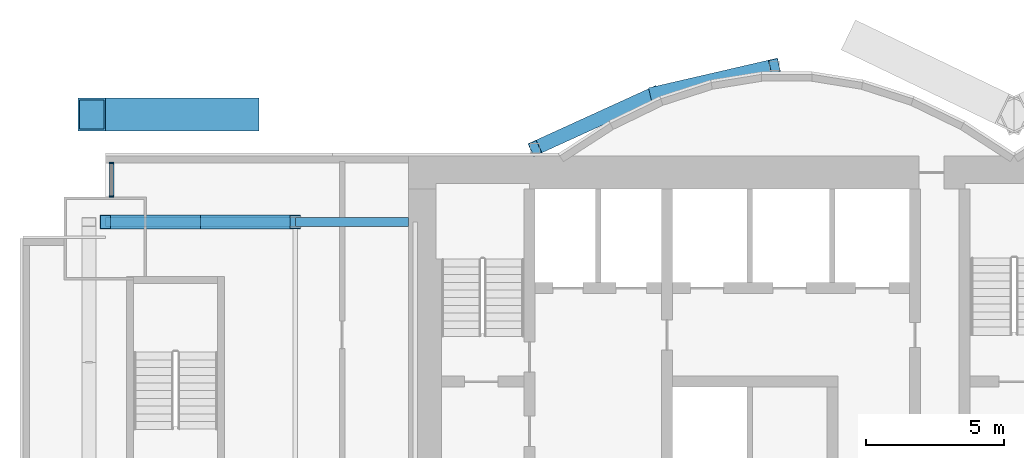
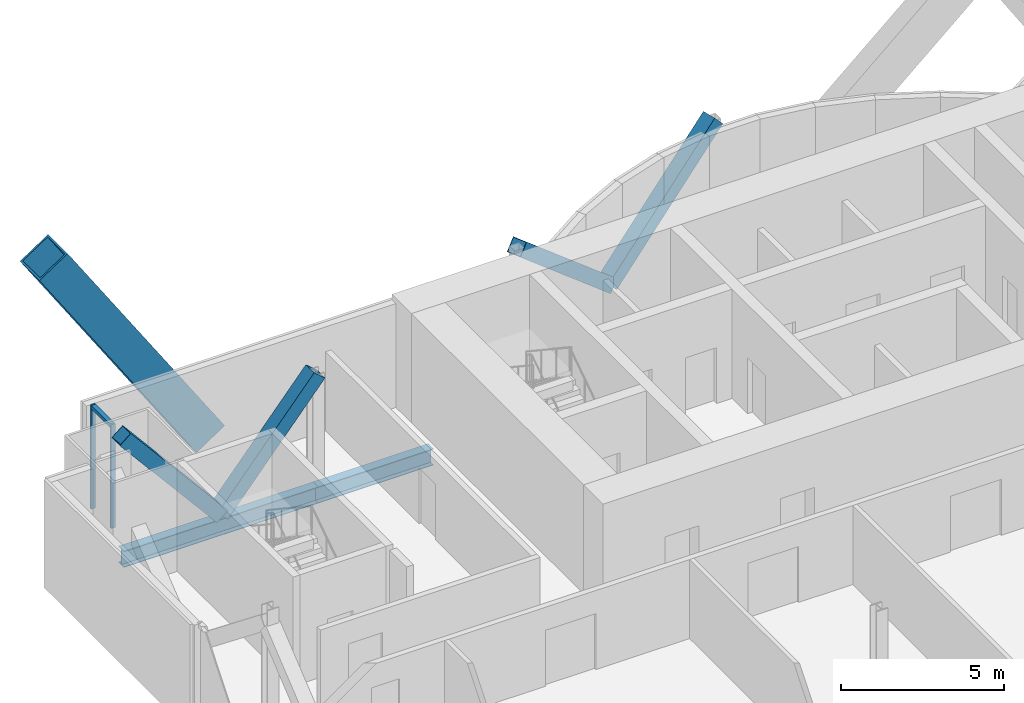
# One storey, part 10 of 21: 8 members, 2 beams, 1 element without a shape of its own.
"""IFC4 building model written with IfcOpenShell, lengths in metres."""

from ifc_helpers import new_model, si_unit, direction, frame, origin, origin_2d, place, context, subcontext, project, spatial, rectangle, hollow_rectangle, i_section, extrude, material, material_profile, profile_set, type_object, element, aggregate, save


model = new_model("IFC4")

# Units and contexts
model_context = context("Model", 3, precision=1e-05, world=origin(), true_north=direction((0.0, 1.0)))
body_context = subcontext(model_context, "Body", "Model", "MODEL_VIEW")
ifc_project = project(units=[si_unit("LENGTHUNIT", "METRE"), si_unit("AREAUNIT", "SQUARE_METRE"), si_unit("VOLUMEUNIT", "CUBIC_METRE"), si_unit("PLANEANGLEUNIT", "RADIAN"), si_unit("MASSUNIT", "GRAM", prefix="KILO")], contexts=[model_context])

# Site, building, storey
site_placement = place(None, origin())
site = spatial("IfcSite", under=ifc_project, at=site_placement, CompositionType="ELEMENT")
building_placement = place(site_placement, origin())
building = spatial("IfcBuilding", under=site, at=building_placement, Name="Bicima Exchange Tower", CompositionType="ELEMENT")
storey_placement = place(building_placement, frame((0.0, 0.0, 130.89990234375)))
storey = spatial("IfcBuildingStorey", under=building, at=storey_placement, Name="L28", CompositionType="ELEMENT", Elevation=130.89990234375)

# Member
ifc_material_1 = material(Name="Steel ASTM A572 Gr 50", Category="steel")
ifc_material_profile_1 = material_profile(ifc_material_1, hollow_rectangle(XDim=1.199951171875, YDim=1.199951171875, WallThickness=0.070068359375, at=origin_2d()))
ifc_profile_set_1 = profile_set([ifc_material_profile_1], Name="Steel ASTM A572 Gr 50")
member_type_1 = type_object("IfcMemberType", Name="Exo mega brace BOX 1200x1200x70", PredefinedType="BRACE", material=ifc_profile_set_1)
member_1_placement = place(storey_placement, frame((-27.916748046875, 1.5, 0.183349609375), z_axis=(-0.552785436873, 0.0, 0.833323623079), x_axis=(0.0, -1.0, 0.0)))
element("IfcMember", 1, at=member_1_placement, inside=storey, type_object=member_type_1, Name="Exo mega brace rear", PredefinedType="BRACE", context=body_context, shape_type="SweptSolid", body=[
    extrude(hollow_rectangle(XDim=1.199951171875, YDim=1.199951171875, WallThickness=0.070068359375, at=origin_2d()), origin(), (0.0, 0.0, 1.0), 10.10009765625),
])

# Curtain wall, members
ifc_material_2 = material(Name="Anodised bronze aluminium", Category="aluminium")
curtain_wall_type = type_object("IfcCurtainWallType", Name="Front glass wall", PredefinedType="NOTDEFINED", material=ifc_material_2)
curtain_wall_placement = place(storey_placement, origin())
curtain_wall = element("IfcCurtainWall", 2, at=curtain_wall_placement, inside=storey, type_object=curtain_wall_type, Name="Front glass wall L28 run 1", PredefinedType="NOTDEFINED")
ifc_material_profile_2 = material_profile(ifc_material_2, rectangle(XDim=0.159912109375, YDim=0.06005859375, at=origin_2d()))
ifc_profile_set_2 = profile_set([ifc_material_profile_2], Name="Anodised bronze aluminium")
member_type_2 = type_object("IfcMemberType", Name="Front glass wall mullion 60 x 160", PredefinedType="MULLION", material=ifc_profile_set_2)
member_2_placement = place(storey_placement, frame((-32.77001953125, -0.260009765625, 0.0), z_axis=(0.0, 0.0, 1.0), x_axis=(1.0, 0.0, 0.0)))
member_2 = element("IfcMember", 3, at=member_2_placement, type_object=member_type_2, Name="Front glass wall mullion 1", PredefinedType="MULLION", context=body_context, shape_type="SweptSolid", body=[
    extrude(rectangle(XDim=0.159912109375, YDim=0.06005859375, at=origin_2d()), origin(), (0.0, 0.0, 1.0), 3.900146484375),
])
member_3_placement = place(storey_placement, frame((-32.77001953125, -1.469970703125, 0.0), z_axis=(0.0, 0.0, 1.0), x_axis=(1.0, 0.0, 0.0)))
member_3 = element("IfcMember", 4, at=member_3_placement, type_object=member_type_2, Name="Front glass wall mullion 2", PredefinedType="MULLION", context=body_context, shape_type="SweptSolid", body=[
    extrude(rectangle(XDim=0.159912109375, YDim=0.06005859375, at=origin_2d()), origin(), (0.0, 0.0, 1.0), 3.900146484375),
])
ifc_material_profile_3 = material_profile(ifc_material_2, rectangle(XDim=0.159912109375, YDim=0.139892578125, at=origin_2d()))
ifc_profile_set_3 = profile_set([ifc_material_profile_3], Name="Anodised bronze aluminium")
member_type_3 = type_object("IfcMemberType", Name="Front glass wall transom 140 x 160", PredefinedType="USERDEFINED", material=ifc_profile_set_3)
member_4_placement = place(storey_placement, frame((-32.77001953125, -0.2900390625, 3.830078125), z_axis=(0.0, -1.0, 0.0), x_axis=(1.0, 0.0, 0.0)))
member_4 = element("IfcMember", 5, at=member_4_placement, type_object=member_type_3, Name="Front glass wall transom 1.1", ObjectType="TRANSOM", PredefinedType="USERDEFINED", context=body_context, shape_type="SweptSolid", body=[
    extrude(rectangle(XDim=0.159912109375, YDim=0.139892578125, at=origin_2d()), origin(), (0.0, 0.0, 1.0), 1.14990234375),
])
aggregate(curtain_wall, [member_2, member_3, member_4])

# Members
ifc_material_profile_4 = material_profile(ifc_material_1, hollow_rectangle(XDim=0.508056640625, YDim=0.508056640625, WallThickness=0.0146484375, at=origin_2d()))
ifc_profile_set_4 = profile_set([ifc_material_profile_4], Name="Steel ASTM A572 Gr 50")
member_type_4 = type_object("IfcMemberType", Name="Mega brace HSS20x20x5/8", PredefinedType="BRACE", material=ifc_profile_set_4)
member_5_placement = place(storey_placement, frame((-13.050048828125, 2.262451171875, 0.0), z_axis=(0.717605620354, 0.166050509188, 0.676364843878), x_axis=(-0.225438503722, 0.974257399787, 0.0)))
element("IfcMember", 6, at=member_5_placement, inside=storey, type_object=member_type_4, Name="Mega brace rexo", PredefinedType="BRACE", context=body_context, shape_type="SweptSolid", body=[
    extrude(hollow_rectangle(XDim=0.508056640625, YDim=0.508056640625, WallThickness=0.0146484375, at=origin_2d()), origin(), (0.0, 0.0, 1.0), 6.06201171875),
])
member_6_placement = place(storey_placement, frame((-13.050048828125, 2.262451171875, 0.0), z_axis=(-0.690628963585, -0.315060460011, 0.650975069565), x_axis=(0.415045223819, -0.909800781592, 0.0)))
element("IfcMember", 7, at=member_6_placement, inside=storey, type_object=member_type_4, Name="Mega brace rexo", PredefinedType="BRACE", context=body_context, shape_type="SweptSolid", body=[
    extrude(hollow_rectangle(XDim=0.508056640625, YDim=0.508056640625, WallThickness=0.0146484375, at=origin_2d()), origin(), (0.0, 0.0, 1.0), 6.29833984375),
])
for number, where, z_axis, x_axis, name in (
    (8, (-29.550048828125, -2.39990234375, 0.0), (0.643834042494, 0.0, 0.765165162384), (0.0, 1.0, 0.0), "Mega brace rear"),
    (9, (-29.550048828125, -2.39990234375, 0.0), (-0.643834042494, 0.0, 0.765165162384), (0.0, -1.0, 0.0), "Mega brace rear"),
):
    element("IfcMember", number, at=place(storey_placement, frame(where, z_axis=z_axis, x_axis=x_axis)), inside=storey, type_object=member_type_4, Name=name, PredefinedType="BRACE", context=body_context, shape_type="SweptSolid", body=[
        extrude(hollow_rectangle(XDim=0.508056640625, YDim=0.508056640625, WallThickness=0.0146484375, at=origin_2d()), origin(), (0.0, 0.0, 1.0), 5.3583984375),
    ])

# Beams
ifc_material_3 = material(Name="Steel ASTM A992 Gr 50", Category="steel")
ifc_material_profile_5 = material_profile(ifc_material_3, i_section(OverallWidth=0.3251953125, OverallDepth=0.612060546875, WebThickness=0.0126953125, FlangeThickness=0.01904296875, at=origin_2d()))
ifc_profile_set_5 = profile_set([ifc_material_profile_5], Name="Steel ASTM A992 Gr 50")
beam_type = type_object("IfcBeamType", Name="Rear girder W24x104", PredefinedType="BEAM", material=ifc_profile_set_5)
beam_1_placement = place(storey_placement, frame((-22.0, -2.39990234375, -0.4560546875), z_axis=(-1.0, 0.0, 0.0), x_axis=(0.0, -1.0, 0.0)))
element("IfcBeam", 10, at=beam_1_placement, inside=storey, type_object=beam_type, Name="Rear girder", PredefinedType="BEAM", context=body_context, shape_type="SweptSolid", body=[
    extrude(i_section(OverallWidth=0.3251953125, OverallDepth=0.612060546875, WebThickness=0.0126953125, FlangeThickness=0.01904296875, at=origin_2d()), origin(), (0.0, 0.0, 1.0), 4.10009765625),
])
beam_2_placement = place(storey_placement, frame((-26.10009765625, -2.39990234375, -0.4560546875), z_axis=(-1.0, 0.0, 0.0), x_axis=(0.0, -1.0, 0.0)))
element("IfcBeam", 11, at=beam_2_placement, inside=storey, type_object=beam_type, Name="Rear girder", PredefinedType="BEAM", context=body_context, shape_type="SweptSolid", body=[
    extrude(i_section(OverallWidth=0.3251953125, OverallDepth=0.612060546875, WebThickness=0.0126953125, FlangeThickness=0.01904296875, at=origin_2d()), origin(), (0.0, 0.0, 1.0), 6.89990234375),
])

save(model, "model.ifc")
